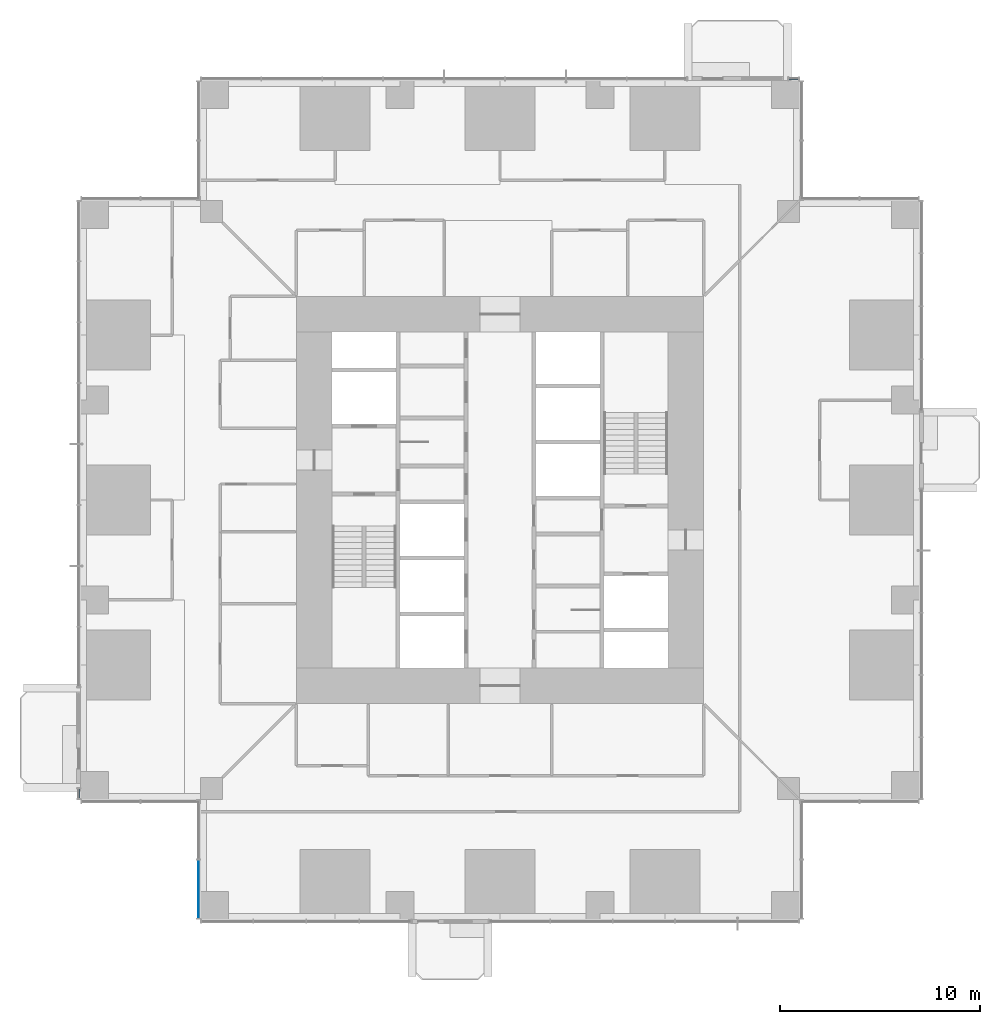
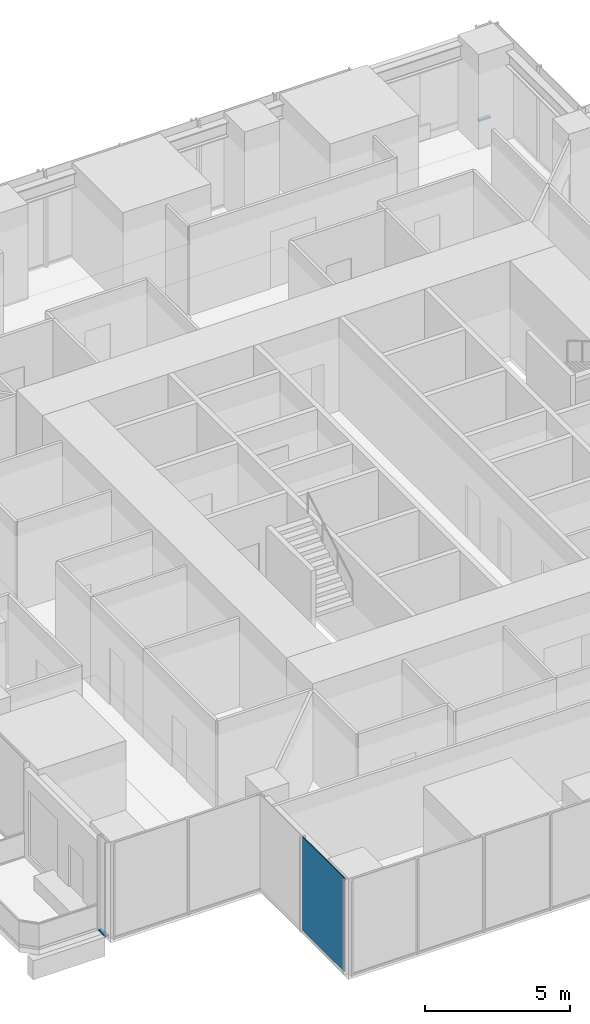
# One storey, part 7 of 17: 2 members, 1 plate, 3 elements without a shape of their own.
"""IFC4 building model written with IfcOpenShell, lengths in metres."""

from ifc_helpers import new_model, si_unit, direction, frame, origin, origin_2d, place, context, subcontext, project, spatial, rectangle, extrude, material, layer, layer_set, material_profile, profile_set, type_object, element, aggregate, save


model = new_model("IFC4")

# Units and contexts
model_context = context("Model", 3, precision=1e-05, world=origin(), true_north=direction((0.0, 1.0)))
body_context = subcontext(model_context, "Body", "Model", "MODEL_VIEW")
ifc_project = project(units=[si_unit("LENGTHUNIT", "METRE"), si_unit("AREAUNIT", "SQUARE_METRE"), si_unit("VOLUMEUNIT", "CUBIC_METRE"), si_unit("PLANEANGLEUNIT", "RADIAN"), si_unit("MASSUNIT", "GRAM", prefix="KILO")], contexts=[model_context])

# Site, building, storey
site_placement = place(None, origin())
site = spatial("IfcSite", under=ifc_project, at=site_placement, CompositionType="ELEMENT")
building_placement = place(site_placement, origin())
building = spatial("IfcBuilding", under=site, at=building_placement, Name="Svetlomir Tower", CompositionType="ELEMENT")
storey_placement = place(building_placement, frame((0.0, 0.0, 38.5)))
storey = spatial("IfcBuildingStorey", under=building, at=storey_placement, Name="L08", CompositionType="ELEMENT", Elevation=38.5)

# Curtain wall, member
ifc_material_1 = material(Name="Bronze anodised aluminium curtain wall", Category="aluminium")
curtain_wall_type = type_object("IfcCurtainWallType", Name="CURTAIN WALL CW1 TOWER OFFICE", PredefinedType="NOTDEFINED", material=ifc_material_1)
curtain_wall_1_placement = place(storey_placement, origin())
curtain_wall_1 = element("IfcCurtainWall", 1, at=curtain_wall_1_placement, inside=storey, type_object=curtain_wall_type, Name="Curtain wall CW1 L08", PredefinedType="NOTDEFINED")
ifc_material_2 = material(Name="Bronze anodised aluminium", Category="aluminium")
ifc_material_profile = material_profile(ifc_material_2, rectangle(XDim=0.139892578125, YDim=0.06494140625, at=origin_2d()), Name="AL 140x65")
ifc_profile_set = profile_set([ifc_material_profile], Name="Bronze anodised aluminium 6063-T6")
member_type = type_object("IfcMemberType", Name="CW1 TRANSOM 65x140", PredefinedType="USERDEFINED", material=ifc_profile_set)
member_1_placement = place(storey_placement, frame((35.93505859375, 42.10009765625, 0.032470703125), z_axis=(-1.0, 0.0, 0.0), x_axis=(0.0, -1.0, 0.0)))
member_1 = element("IfcMember", 2, at=member_1_placement, type_object=member_type, Name="CW1 transom 1.1", ObjectType="TRANSOM", PredefinedType="USERDEFINED", context=body_context, shape_type="SweptSolid", body=[
    extrude(rectangle(XDim=0.139892578125, YDim=0.06494140625, at=origin_2d()), origin(), (0.0, 0.0, 1.0), 0.469970703125),
])
aggregate(curtain_wall_1, [member_1])

curtain_wall_2_placement = place(storey_placement, origin())
curtain_wall_2 = element("IfcCurtainWall", 3, at=curtain_wall_2_placement, inside=storey, type_object=curtain_wall_type, Name="Curtain wall CW1 L08", PredefinedType="NOTDEFINED")
member_2_placement = place(storey_placement, frame((-0.10009765625, 6.534912109375, 0.032470703125), z_axis=(0.0, -1.0, 0.0), x_axis=(1.0, 0.0, 0.0)))
member_2 = element("IfcMember", 4, at=member_2_placement, type_object=member_type, Name="CW1 transom 1.1", ObjectType="TRANSOM", PredefinedType="USERDEFINED", context=body_context, shape_type="SweptSolid", body=[
    extrude(rectangle(XDim=0.139892578125, YDim=0.06494140625, at=origin_2d()), origin(), (0.0, 0.0, 1.0), 0.469970703125),
])
aggregate(curtain_wall_2, [member_2])

# Curtain wall, plate
curtain_wall_3_placement = place(storey_placement, origin())
curtain_wall_3 = element("IfcCurtainWall", 5, at=curtain_wall_3_placement, inside=storey, type_object=curtain_wall_type, Name="Curtain wall CW1 L08", PredefinedType="NOTDEFINED")
ifc_material_3 = material(Name="Tinted double glazed unit", Category="glass")
ifc_layer = layer(ifc_material_3, 0.031982421875)
ifc_layer_set = layer_set([ifc_layer], Name="Tinted double glazed unit")
plate_type = type_object("IfcPlateType", Name="CW1 GLAZED PANEL 32", PredefinedType="CURTAIN_PANEL", material=ifc_layer_set)
plate_placement = place(storey_placement, frame((5.89990234375, 1.516357421875, 0.06494140625), z_axis=(0.0, 0.0, 1.0), x_axis=(0.0, -1.0, 0.0)))
plate = element("IfcPlate", 6, at=plate_placement, type_object=plate_type, Name="CW1 panel 2.1", PredefinedType="CURTAIN_PANEL", context=body_context, shape_type="SweptSolid", body=[
    extrude(rectangle(XDim=2.902587890625, YDim=0.031982421875, at=origin_2d()), origin(), (0.0, 0.0, 1.0), 3.93505859375),
])
aggregate(curtain_wall_3, [plate])

save(model, "model.ifc")
